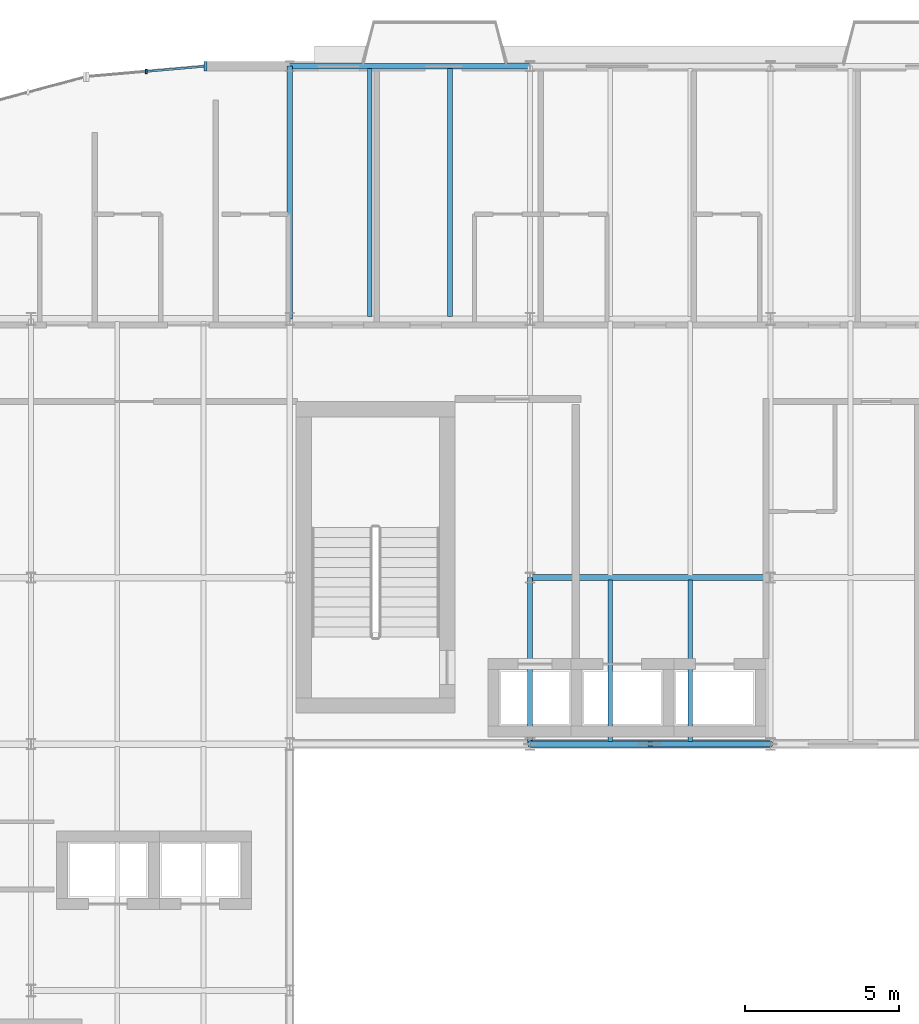
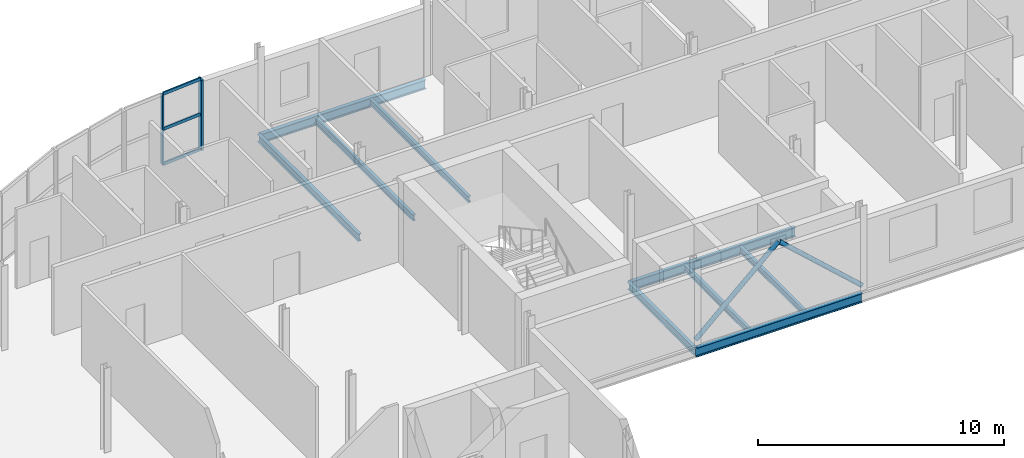
# One storey, part 7 of 22: 9 beams, 7 members, 1 element without a shape of its own.
"""IFC4 building model written with IfcOpenShell, lengths in metres."""

from ifc_helpers import new_model, si_unit, direction, frame, origin, origin_2d, place, context, subcontext, project, spatial, rectangle, hollow_circle, i_section, extrude, material, layer, layer_set, material_profile, profile_set, type_object, element, aggregate, save


model = new_model("IFC4")

# Units and contexts
model_context = context("Model", 3, precision=1e-05, world=origin(), true_north=direction((0.0, 1.0)))
body_context = subcontext(model_context, "Body", "Model", "MODEL_VIEW")
ifc_project = project(units=[si_unit("LENGTHUNIT", "METRE"), si_unit("AREAUNIT", "SQUARE_METRE"), si_unit("VOLUMEUNIT", "CUBIC_METRE"), si_unit("PLANEANGLEUNIT", "RADIAN"), si_unit("MASSUNIT", "GRAM", prefix="KILO")], contexts=[model_context])

# Site, building, storey
site_placement = place(None, origin())
site = spatial("IfcSite", under=ifc_project, at=site_placement, CompositionType="ELEMENT")
building_placement = place(site_placement, origin())
building = spatial("IfcBuilding", under=site, at=building_placement, Name="Sefraquen Railside Congress Hotel", CompositionType="ELEMENT")
storey_placement = place(building_placement, frame((0.0, 0.0, 42.60009765625)))
storey = spatial("IfcBuildingStorey", under=building, at=storey_placement, Name="L10", CompositionType="ELEMENT", Elevation=42.60009765625)

# Beams
ifc_material_1 = material(Name="Steel S355JR", Category="steel")
ifc_material_profile_1 = material_profile(ifc_material_1, i_section(OverallWidth=0.169921875, OverallDepth=0.360107421875, WebThickness=0.008056640625, FlangeThickness=0.0126953125, FilletRadius=0.01806640625, at=origin_2d()), Name="IPE 360")
ifc_profile_set_1 = profile_set([ifc_material_profile_1], Name="Steel S355JR")
beam_type_1 = type_object("IfcBeamType", Name="TB-BM-360", PredefinedType="BEAM", material=ifc_profile_set_1)
beam_1_placement = place(storey_placement, frame((25.199951171875, 109.800048828125, -0.400146484375), z_axis=(0.0, 1.0, 0.0), x_axis=(-1.0, 0.0, 0.0)))
element("IfcBeam", 1, at=beam_1_placement, inside=storey, type_object=beam_type_1, Name="Floor beam BM-L10-2121", PredefinedType="BEAM", context=body_context, shape_type="SweptSolid", body=[
    extrude(i_section(OverallWidth=0.169921875, OverallDepth=0.360107421875, WebThickness=0.008056640625, FlangeThickness=0.0126953125, FilletRadius=0.01806640625, at=origin_2d()), origin(), (0.0, 0.0, 1.0), 8.199951171875),
])
beam_2_placement = place(storey_placement, frame((33.0, 96.0, -0.400146484375), z_axis=(0.0, 1.0, 0.0), x_axis=(-1.0, 0.0, 0.0)))
element("IfcBeam", 2, at=beam_2_placement, inside=storey, type_object=beam_type_1, Name="Floor beam BM-L10-2122", PredefinedType="BEAM", context=body_context, shape_type="SweptSolid", body=[
    extrude(i_section(OverallWidth=0.169921875, OverallDepth=0.360107421875, WebThickness=0.008056640625, FlangeThickness=0.0126953125, FilletRadius=0.01806640625, at=origin_2d()), origin(), (0.0, 0.0, 1.0), 5.39990234375),
])
ifc_material_profile_2 = material_profile(ifc_material_1, i_section(OverallWidth=0.18994140625, OverallDepth=0.449951171875, WebThickness=0.009521484375, FlangeThickness=0.0146484375, FilletRadius=0.02099609375, at=origin_2d()), Name="IPE 450")
ifc_profile_set_2 = profile_set([ifc_material_profile_2], Name="Steel S355JR")
beam_type_2 = type_object("IfcBeamType", Name="TB-BM-450", PredefinedType="BEAM", material=ifc_profile_set_2)
for number, where, z_axis, x_axis, name in (
    (3, (33.0, 96.0, -0.445068359375), (1.0, 0.0, 0.0), (0.0, 1.0, 0.0), "Primary girder BM-L10-2063"),
    (4, (33.0, 101.39990234375, -0.445068359375), (1.0, 0.0, 0.0), (0.0, 1.0, 0.0), "Primary girder BM-L10-2073"),
    (5, (25.199951171875, 118.0, -0.445068359375), (1.0, 0.0, 0.0), (0.0, 1.0, 0.0), "Primary girder BM-L10-2091"),
):
    element("IfcBeam", number, at=place(storey_placement, frame(where, z_axis=z_axis, x_axis=x_axis)), inside=storey, type_object=beam_type_2, Name=name, PredefinedType="BEAM", context=body_context, shape_type="SweptSolid", body=[
        extrude(i_section(OverallWidth=0.18994140625, OverallDepth=0.449951171875, WebThickness=0.009521484375, FlangeThickness=0.0146484375, FilletRadius=0.02099609375, at=origin_2d()), origin(), (0.0, 0.0, 1.0), 7.800048828125),
    ])
ifc_material_profile_3 = material_profile(ifc_material_1, i_section(OverallWidth=0.14990234375, OverallDepth=0.300048828125, WebThickness=0.007080078125, FlangeThickness=0.0107421875, FilletRadius=0.014892578125, at=origin_2d()), Name="IPE 300")
ifc_profile_set_3 = profile_set([ifc_material_profile_3], Name="Steel S355JR")
beam_type_3 = type_object("IfcBeamType", Name="TB-JST-300", PredefinedType="JOIST", material=ifc_profile_set_3)
for number, where, z_axis, x_axis, name in (
    (6, (27.800048828125, 109.875, -0.3701171875), (0.0, 1.0, 0.0), (-1.0, 0.0, 0.0), "Composite floor joist BM-L10-J1422"),
    (7, (30.39990234375, 109.875, -0.3701171875), (0.0, 1.0, 0.0), (-1.0, 0.0, 0.0), "Composite floor joist BM-L10-J1423"),
):
    element("IfcBeam", number, at=place(storey_placement, frame(where, z_axis=z_axis, x_axis=x_axis)), inside=storey, type_object=beam_type_3, Name=name, PredefinedType="JOIST", context=body_context, shape_type="SweptSolid", body=[
        extrude(i_section(OverallWidth=0.14990234375, OverallDepth=0.300048828125, WebThickness=0.007080078125, FlangeThickness=0.0107421875, FilletRadius=0.014892578125, at=origin_2d()), origin(), (0.0, 0.0, 1.0), 8.050048828125),
    ])
for number, where, z_axis, x_axis, name in (
    (8, (35.60009765625, 96.074951171875, -0.3701171875), (0.0, 1.0, 0.0), (-1.0, 0.0, 0.0), "Composite floor joist BM-L10-J1424"),
    (9, (38.199951171875, 96.074951171875, -0.3701171875), (0.0, 1.0, 0.0), (-1.0, 0.0, 0.0), "Composite floor joist BM-L10-J1425"),
):
    element("IfcBeam", number, at=place(storey_placement, frame(where, z_axis=z_axis, x_axis=x_axis)), inside=storey, type_object=beam_type_3, Name=name, PredefinedType="JOIST", context=body_context, shape_type="SweptSolid", body=[
        extrude(i_section(OverallWidth=0.14990234375, OverallDepth=0.300048828125, WebThickness=0.007080078125, FlangeThickness=0.0107421875, FilletRadius=0.014892578125, at=origin_2d()), origin(), (0.0, 0.0, 1.0), 5.25),
    ])

# Members
ifc_material_2 = material(Name="Steel S355J2", Category="steel")
ifc_material_profile_4 = material_profile(ifc_material_2, hollow_circle(Radius=0.109619140625, WallThickness=0.010009765625, at=origin_2d()), Name="CHS 219.1x10")
ifc_profile_set_4 = profile_set([ifc_material_profile_4], Name="Steel S355J2")
member_type_1 = type_object("IfcMemberType", Name="TM-BR-219", PredefinedType="BRACE", material=ifc_profile_set_4)
for number, where, z_axis, x_axis, name in (
    (10, (33.0, 96.0, 0.14990234375), (0.740443247498, 0.0, 0.672118886235), (0.0, 1.0, 0.0), "Chevron braced-frame diagonal BF1-L L10"),
    (11, (40.800048828125, 96.0, 0.14990234375), (-0.740464186112, 0.0, 0.672095818381), (0.0, -1.0, 0.0), "Chevron braced-frame diagonal BF1-R L10"),
):
    element("IfcMember", number, at=place(storey_placement, frame(where, z_axis=z_axis, x_axis=x_axis)), inside=storey, type_object=member_type_1, Name=name, PredefinedType="BRACE", context=body_context, shape_type="SweptSolid", body=[
        extrude(hollow_circle(Radius=0.109619140625, WallThickness=0.010009765625, at=origin_2d()), origin(), (0.0, 0.0, 1.0), 5.26708984375),
    ])

# Curtain wall, members
ifc_material_3 = material(Name="Thermally broken anodised aluminium and low-E double glazing", Category="aluminium")
ifc_layer = layer(ifc_material_3, 0.199951171875)
ifc_layer_set = layer_set([ifc_layer], Name="Thermally broken anodised aluminium and low-E double glazing")
curtain_wall_type = type_object("IfcCurtainWallType", Name="TCW-UCW-27", PredefinedType="USERDEFINED", material=ifc_layer_set)
curtain_wall_placement = place(storey_placement, origin())
curtain_wall = element("IfcCurtainWall", 12, at=curtain_wall_placement, inside=storey, type_object=curtain_wall_type, Name="Rotunda L10 curved curtain wall facet 1", ObjectType="UNITISED CURTAIN WALL", PredefinedType="USERDEFINED")
ifc_material_4 = material(Name="Thermally broken anodised aluminium 6063-T6", Category="aluminium")
ifc_material_profile_5 = material_profile(ifc_material_4, rectangle(XDim=0.06005859375, YDim=0.159912109375, at=origin_2d()), Name="CWM 60x160")
ifc_profile_set_5 = profile_set([ifc_material_profile_5], Name="Thermally broken anodised aluminium 6063-T6")
member_type_2 = type_object("IfcMemberType", Name="TM-CWM-01", PredefinedType="MULLION", material=ifc_profile_set_5)
member_1_placement = place(storey_placement, frame((20.54638671875, 117.8291015625, 0.0), z_axis=(0.0, 0.0, 1.0), x_axis=(1.0, 0.0, 0.0)))
member_1 = element("IfcMember", 13, at=member_1_placement, type_object=member_type_2, Name="CW-L10-ROT-01 mullion 2", PredefinedType="MULLION", context=body_context, shape_type="SweptSolid", body=[
    extrude(rectangle(XDim=0.06005859375, YDim=0.159912109375, at=origin_2d()), origin(), (0.0, 0.0, 1.0), 3.489990234375),
])
ifc_material_profile_6 = material_profile(ifc_material_4, rectangle(XDim=0.094970703125, YDim=0.300048828125, at=origin_2d()), Name="CWM 95x300")
ifc_profile_set_6 = profile_set([ifc_material_profile_6], Name="Thermally broken anodised aluminium 6063-T6")
member_type_3 = type_object("IfcMemberType", Name="TM-CWM-08", PredefinedType="MULLION", material=ifc_profile_set_6)
member_2_placement = place(storey_placement, frame((22.460205078125, 117.99658203125, 0.0), z_axis=(0.0, 0.0, 1.0), x_axis=(1.0, 0.0, 0.0)))
member_2 = element("IfcMember", 14, at=member_2_placement, type_object=member_type_3, Name="CW-L10-ROT-01 mullion 1", PredefinedType="MULLION", context=body_context, shape_type="SweptSolid", body=[
    extrude(rectangle(XDim=0.094970703125, YDim=0.300048828125, at=origin_2d()), origin(), (0.0, 0.0, 1.0), 3.489990234375),
])
ifc_material_profile_7 = material_profile(ifc_material_4, rectangle(XDim=0.070068359375, YDim=0.14990234375, at=origin_2d()), Name="CWT 70x150")
ifc_profile_set_7 = profile_set([ifc_material_profile_7], Name="Thermally broken anodised aluminium 6063-T6")
member_type_4 = type_object("IfcMemberType", Name="TM-CWT-03", PredefinedType="USERDEFINED", material=ifc_profile_set_7)
member_3_placement = place(storey_placement, frame((22.415283203125, 117.99267578125, 0.0), z_axis=(-0.996190387898, -0.08720499447, 0.0), x_axis=(0.08720499447, -0.996190387898, 0.0)))
member_3 = element("IfcMember", 15, at=member_3_placement, type_object=member_type_4, Name="CW-L10-ROT-01 transom 1.1", ObjectType="TRANSOM", PredefinedType="USERDEFINED", context=body_context, shape_type="SweptSolid", body=[
    extrude(rectangle(XDim=0.070068359375, YDim=0.14990234375, at=origin_2d()), origin(), (0.0, 0.0, 1.0), 1.8310546875),
])
member_4_placement = place(storey_placement, frame((22.415283203125, 117.99267578125, 1.744873046875), z_axis=(-0.996190387898, -0.08720499447, 0.0), x_axis=(0.08720499447, -0.996190387898, 0.0)))
member_4 = element("IfcMember", 16, at=member_4_placement, type_object=member_type_4, Name="CW-L10-ROT-01 transom 2.1", ObjectType="TRANSOM", PredefinedType="USERDEFINED", context=body_context, shape_type="SweptSolid", body=[
    extrude(rectangle(XDim=0.070068359375, YDim=0.14990234375, at=origin_2d()), origin(), (0.0, 0.0, 1.0), 1.8310546875),
])
member_5_placement = place(storey_placement, frame((22.415283203125, 117.99267578125, 3.489990234375), z_axis=(-0.996190387898, -0.08720499447, 0.0), x_axis=(0.08720499447, -0.996190387898, 0.0)))
member_5 = element("IfcMember", 17, at=member_5_placement, type_object=member_type_4, Name="CW-L10-ROT-01 transom 3.1", ObjectType="TRANSOM", PredefinedType="USERDEFINED", context=body_context, shape_type="SweptSolid", body=[
    extrude(rectangle(XDim=0.070068359375, YDim=0.14990234375, at=origin_2d()), origin(), (0.0, 0.0, 1.0), 1.8310546875),
])
aggregate(curtain_wall, [member_2, member_1, member_3, member_4, member_5])

save(model, "model.ifc")
